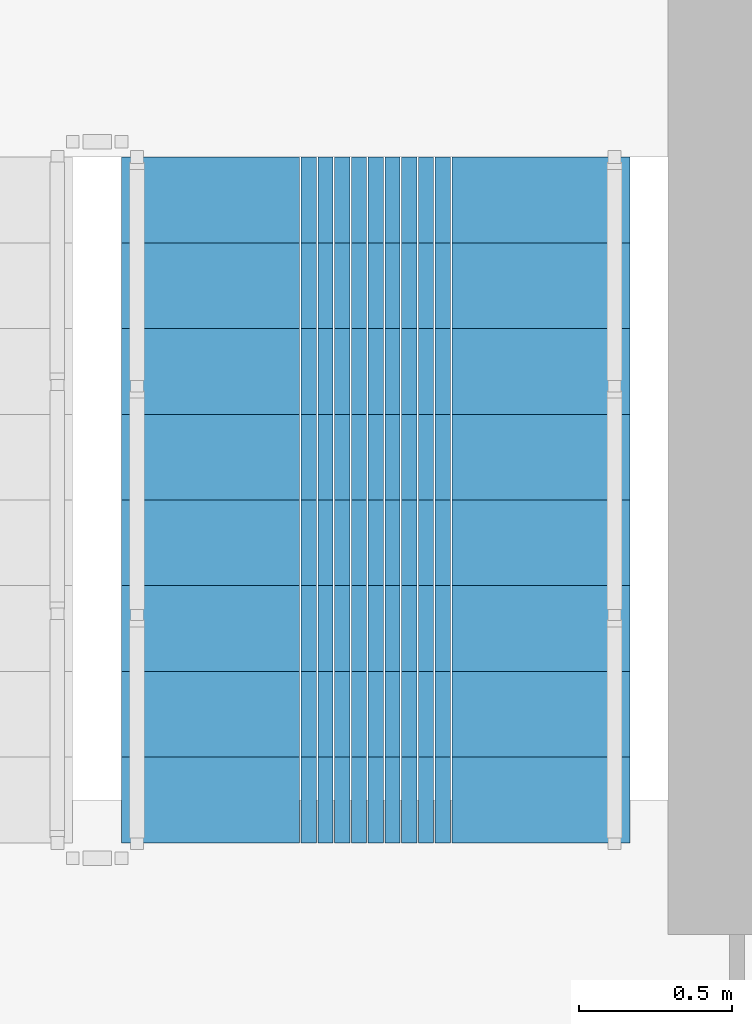
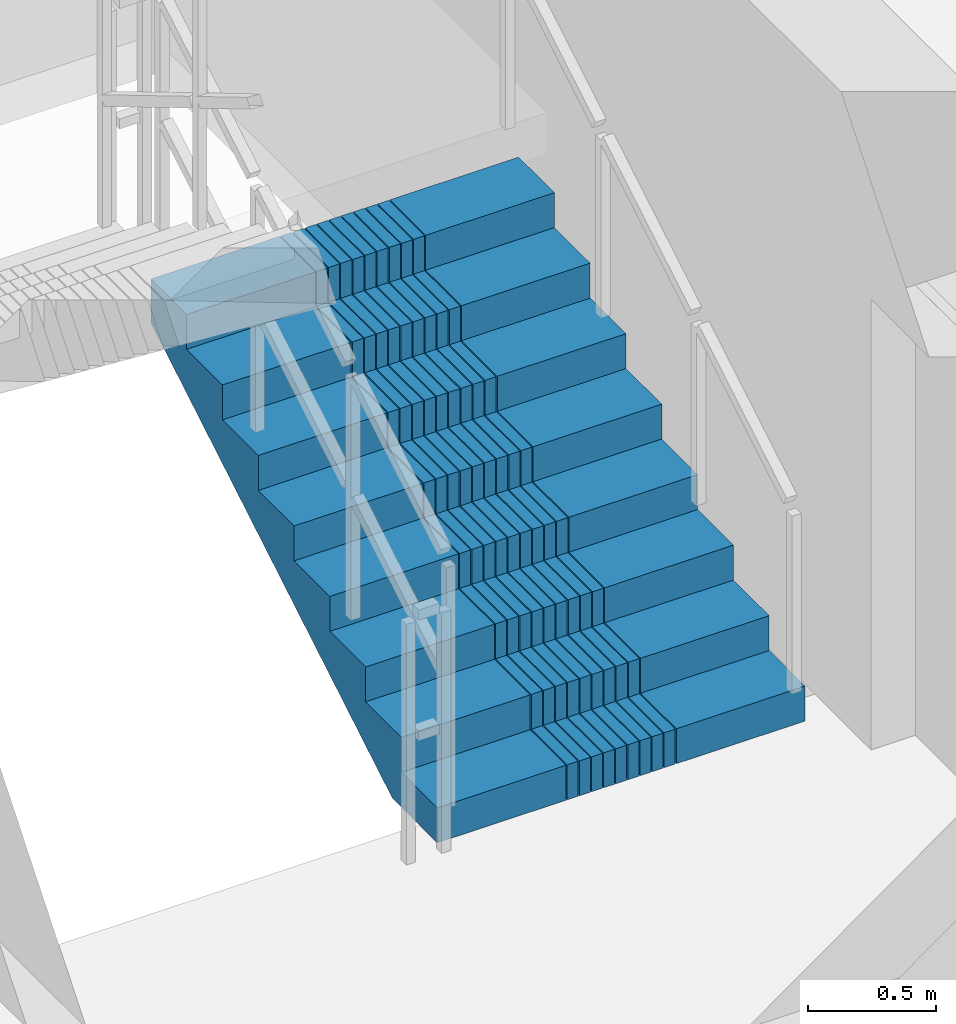
# One storey, part 9 of 14: 1 stair flight, 1 element without a shape of its own.
"""IFC4 building model written with IfcOpenShell, lengths in metres."""

import ifcopenshell
import ifcopenshell.guid

model = None  # the IFC model being written
_history = None  # IfcOwnerHistory: only IFC2X3 demands one
_inside = {}  # id of a spatial element -> (the spatial element, [elements in it])
_under = {}  # id of a project, library or spatial element -> (it, [spatial elements below it])
_declared = {}  # id of a project -> (the project, [libraries it declares])
_typed = {}  # id of a type object -> (the type object, [elements of that type])
_made_of = {}  # id of a material, layer set ... -> (it, [elements and type objects made of it])


def new_model(schema):
    """Start an empty IFC model of exactly this schema.

    Asked for "IFC4X3", IfcOpenShell would pick the latest addendum, in which some entities
    have other attributes; the version numbers below select the first issue.
    IFC2X3 requires an IfcOwnerHistory on every rooted entity: one is made here for all.
    """
    global model, _history
    if schema == "IFC4X3":
        model = ifcopenshell.file(schema_version=(4, 3, 0, 0))
    else:
        model = ifcopenshell.file(schema=schema)
    _inside.clear()
    _under.clear()
    _declared.clear()
    _typed.clear()
    _made_of.clear()
    _history = None
    if model.schema == "IFC2X3":
        org = make("IfcOrganization", Name="unknown")
        user = make(
            "IfcPersonAndOrganization",
            ThePerson=make("IfcPerson", FamilyName="unknown"),
            TheOrganization=org,
        )
        app = make(
            "IfcApplication",
            ApplicationDeveloper=org,
            Version="unknown",
            ApplicationFullName="unknown",
            ApplicationIdentifier="unknown",
        )
        _history = make(
            "IfcOwnerHistory",
            OwningUser=user,
            OwningApplication=app,
            ChangeAction="ADDED",
            CreationDate=0,
        )
    return model


def make(cls, **values):
    """One entity of the class cls with the attributes given. An attribute that is None is left unset."""
    return model.create_entity(
        cls, **{name: value for name, value in values.items() if value is not None}
    )


def rooted(cls, **values):
    """An entity with a GlobalId (a new one), such as an element, a storey or a relation."""
    return make(cls, GlobalId=ifcopenshell.guid.new(), OwnerHistory=_history, **values)


def si_unit(unit_type, name, prefix=None):
    """IfcSIUnit, for example si_unit("LENGTHUNIT", "METRE", prefix="MILLI")."""
    return make("IfcSIUnit", UnitType=unit_type, Prefix=prefix, Name=name)


def assignment(units):
    """IfcUnitAssignment: the units of a project."""
    return None if units is None else make("IfcUnitAssignment", Units=units)


def point(xyz):
    """IfcCartesianPoint."""
    return None if xyz is None else make("IfcCartesianPoint", Coordinates=xyz)


def direction(xyz):
    """IfcDirection."""
    return None if xyz is None else make("IfcDirection", DirectionRatios=xyz)


def frame(location, z_axis=None, x_axis=None):
    """IfcAxis2Placement3D, a coordinate frame: its origin and axes. An axis left out is left unset."""
    return make(
        "IfcAxis2Placement3D",
        Location=point(location),
        Axis=direction(z_axis),
        RefDirection=direction(x_axis),
    )


def origin():
    """The frame at (0, 0, 0) with its axes left unset."""
    return frame((0.0, 0.0, 0.0))


def place(relative_to, where):
    """IfcLocalPlacement: puts the frame where relative to a parent placement (None: the world)."""
    return make(
        "IfcLocalPlacement", PlacementRelTo=relative_to, RelativePlacement=where
    )


def context(
    kind, dimensions, precision=None, world=None, true_north=None, identifier=None
):
    """IfcGeometricRepresentationContext, for example the 3D "Model" context."""
    return make(
        "IfcGeometricRepresentationContext",
        ContextIdentifier=identifier,
        ContextType=kind,
        CoordinateSpaceDimension=dimensions,
        Precision=precision,
        WorldCoordinateSystem=world,
        TrueNorth=true_north,
    )


def subcontext(parent, identifier, kind, view, scale=None):
    """IfcGeometricRepresentationSubContext, for example "Body" below "Model"."""
    return make(
        "IfcGeometricRepresentationSubContext",
        ContextIdentifier=identifier,
        ContextType=kind,
        ParentContext=parent,
        TargetScale=scale,
        TargetView=view,
    )


def project(units=None, contexts=None):
    """IfcProject with its units and contexts."""
    return rooted(
        "IfcProject",
        Name="project",
        RepresentationContexts=contexts,
        UnitsInContext=assignment(units),
    )


def spatial(cls, under=None, at=None, **own):
    """A site, building, storey or space (cls), placed at a placement, below another one or the project."""
    s = rooted(cls, ObjectPlacement=at, **own)
    if under is not None:
        _under.setdefault(under.id(), (under, []))[1].append(s)
    return s


def polyline(points):
    """IfcPolyline through the points."""
    return make("IfcPolyline", Points=[point(p) for p in points])


def outline(outer, holes=None, kind="AREA"):
    """IfcArbitraryClosedProfileDef: a profile drawn as a closed curve; with holes, ...WithVoids."""
    if holes is None:
        return make("IfcArbitraryClosedProfileDef", ProfileType=kind, OuterCurve=outer)
    return make(
        "IfcArbitraryProfileDefWithVoids",
        ProfileType=kind,
        OuterCurve=outer,
        InnerCurves=holes,
    )


def extrude(swept, where, along, depth):
    """IfcExtrudedAreaSolid: the profile swept, set in the frame where, extruded along a direction by depth."""
    return make(
        "IfcExtrudedAreaSolid",
        SweptArea=swept,
        Position=where,
        ExtrudedDirection=direction(along),
        Depth=depth,
    )


def shape(context_of_items, identifier, shape_type, items):
    """IfcShapeRepresentation: the items that make up one representation, for example the "Body"."""
    return make(
        "IfcShapeRepresentation",
        ContextOfItems=context_of_items,
        RepresentationIdentifier=identifier,
        RepresentationType=shape_type,
        Items=items,
    )


def material(Name=None, Category=None):
    """IfcMaterial."""
    return make("IfcMaterial", Name=Name, Category=Category)


def made_of(thing, what):
    """Note that an element or type object is made of a material, layer set ...; save() writes the relation."""
    if what is not None:
        _made_of.setdefault(what.id(), (what, []))[1].append(thing)
    return thing


def type_object(cls, material=None, **own):
    """A type object (cls), such as IfcWallType, which elements share."""
    return made_of(rooted(cls, **own), material)


def element(
    cls,
    number,
    at=None,
    inside=None,
    cuts=None,
    type_object=None,
    material=None,
    context=None,
    identifier="Body",
    shape_type=None,
    held_by="IfcProductDefinitionShape",
    body=None,
    shapes=None,
    **own,
):
    """One element of the class cls, such as IfcWall. Its Tag is "e" and its number.

    at: its placement. inside: the storey or other place that contains it. cuts: it is an
    opening in that element (IfcRelVoidsElement). A single representation is given by context,
    identifier, shape_type and body (its items); several are given by shapes. held_by: the class
    of the entity that holds the representations. save() writes the other relations.
    """
    e = rooted(cls, Tag="e%d" % number, ObjectPlacement=at, **own)
    if body is not None:
        shapes = [shape(context, identifier, shape_type, body)]
    if shapes is not None:
        e.Representation = make(held_by, Representations=shapes)
    if inside is not None:
        _inside.setdefault(inside.id(), (inside, []))[1].append(e)
    if cuts is not None:
        rooted(
            "IfcRelVoidsElement", RelatingBuildingElement=cuts, RelatedOpeningElement=e
        )
    if type_object is not None:
        _typed.setdefault(type_object.id(), (type_object, []))[1].append(e)
    return made_of(e, material)


def aggregate(whole, parts):
    """IfcRelAggregates: a whole, such as a stair, and the parts it consists of."""
    return rooted("IfcRelAggregates", RelatingObject=whole, RelatedObjects=parts)


def save(model, path):
    """Write the relations noted so far, then the file.

    IfcRelAggregates (storeys below a building ...), IfcRelContainedInSpatialStructure (elements
    in a storey), IfcRelDefinesByType, IfcRelAssociatesMaterial and IfcRelDeclares: one each for
    every whole, place, type object, material and project.
    """
    for whole, parts in _under.values():
        aggregate(whole, parts)
    for where, things in _inside.values():
        rooted(
            "IfcRelContainedInSpatialStructure",
            RelatedElements=things,
            RelatingStructure=where,
        )
    for kind, things in _typed.values():
        rooted("IfcRelDefinesByType", RelatedObjects=things, RelatingType=kind)
    for what, things in _made_of.values():
        rooted("IfcRelAssociatesMaterial", RelatedObjects=things, RelatingMaterial=what)
    for by, libraries in _declared.values():
        rooted("IfcRelDeclares", RelatingContext=by, RelatedDefinitions=libraries)
    model.write(path)


model = new_model("IFC4")

# Units and contexts
model_context = context("Model", 3, precision=1e-05, world=origin(), true_north=direction((0.0, 1.0)))
body_context = subcontext(model_context, "Body", "Model", "MODEL_VIEW")
ifc_project = project(units=[si_unit("LENGTHUNIT", "METRE"), si_unit("AREAUNIT", "SQUARE_METRE"), si_unit("VOLUMEUNIT", "CUBIC_METRE"), si_unit("PLANEANGLEUNIT", "RADIAN"), si_unit("MASSUNIT", "GRAM", prefix="KILO")], contexts=[model_context])

# Site, building, storey
site_placement = place(None, origin())
site = spatial("IfcSite", under=ifc_project, at=site_placement, CompositionType="ELEMENT")
building_placement = place(site_placement, origin())
building = spatial("IfcBuilding", under=site, at=building_placement, Name="Saelheon Loggia Tower", CompositionType="ELEMENT")
storey_placement = place(building_placement, frame((0.0, 0.0, 213.300048828125)))
storey = spatial("IfcBuildingStorey", under=building, at=storey_placement, Name="L66", CompositionType="ELEMENT", Elevation=213.300048828125)

# Stair, stair flight
ifc_material = material(Name="Concrete C40/50", Category="concrete")
stair_type = type_object("IfcStairType", Name="Stair_Escape_Core", PredefinedType="HALF_TURN_STAIR", material=ifc_material)
stair_placement = place(storey_placement, origin())
stair = element("IfcStair", 1, at=stair_placement, inside=storey, type_object=stair_type, Name="L66 Special Escape Stair ST2", PredefinedType="HALF_TURN_STAIR")
stair_flight_type = type_object("IfcStairFlightType", Name="StairFlight_Tower_1660", PredefinedType="STRAIGHT", material=ifc_material)
stair_flight_placement = place(storey_placement, frame((43.320068359375, 30.449951171875, 0.0), z_axis=(0.0, 0.0, 1.0), x_axis=(0.0, 1.0, 0.0)))
stair_flight = element("IfcStairFlight", 2, at=stair_flight_placement, type_object=stair_flight_type, Name="ST2 flight 1", NumberOfRisers=9, NumberOfTreads=8, PredefinedType="STRAIGHT", RiserHeight=0.166666667, TreadLength=0.28, context=body_context, shape_type="SweptSolid", body=[
    extrude(outline(polyline([(0.0, 0.0), (0.0, 0.166748046875), (0.280029296875, 0.166748046875), (0.280029296875, 0.333251953125), (0.56005859375, 0.333251953125), (0.56005859375, 0.5), (0.840087890625, 0.5), (0.840087890625, 0.666748046875), (1.1201171875, 0.666748046875), (1.1201171875, 0.833251953125), (1.39990234375, 0.833251953125), (1.39990234375, 1.0), (1.679931640625, 1.0), (1.679931640625, 1.166748046875), (1.9599609375, 1.166748046875), (1.9599609375, 1.333251953125), (2.239990234375, 1.333251953125), (2.239990234375, 1.5), (2.239990234375, 1.1240234375), (0.351806640625, 0.0), (0.0, 0.0)])), frame((0.0, -0.2490234375, 0.0), z_axis=(0.0, -1.0, 0.0), x_axis=(1.0, 0.0, 0.0)), (0.0, 0.0, 1.0), 0.5810546875),
    extrude(outline(polyline([(0.0, 0.0), (0.0, 0.166748046875), (0.280029296875, 0.166748046875), (0.280029296875, 0.333251953125), (0.56005859375, 0.333251953125), (0.56005859375, 0.5), (0.840087890625, 0.5), (0.840087890625, 0.666748046875), (1.1201171875, 0.666748046875), (1.1201171875, 0.833251953125), (1.39990234375, 0.833251953125), (1.39990234375, 1.0), (1.679931640625, 1.0), (1.679931640625, 1.166748046875), (1.9599609375, 1.166748046875), (1.9599609375, 1.333251953125), (2.239990234375, 1.333251953125), (2.239990234375, 1.5), (2.239990234375, 1.1240234375), (0.351806640625, 0.0), (0.0, 0.0)])), frame((0.0, -0.194091796875, 0.0), z_axis=(0.0, -1.0, 0.0), x_axis=(1.0, 0.0, 0.0)), (0.0, 0.0, 1.0), 0.0498046875),
    extrude(outline(polyline([(0.0, 0.0), (0.0, 0.166748046875), (0.280029296875, 0.166748046875), (0.280029296875, 0.333251953125), (0.56005859375, 0.333251953125), (0.56005859375, 0.5), (0.840087890625, 0.5), (0.840087890625, 0.666748046875), (1.1201171875, 0.666748046875), (1.1201171875, 0.833251953125), (1.39990234375, 0.833251953125), (1.39990234375, 1.0), (1.679931640625, 1.0), (1.679931640625, 1.166748046875), (1.9599609375, 1.166748046875), (1.9599609375, 1.333251953125), (2.239990234375, 1.333251953125), (2.239990234375, 1.5), (2.239990234375, 1.1240234375), (0.351806640625, 0.0), (0.0, 0.0)])), frame((0.0, -0.139404296875, 0.0), z_axis=(0.0, -1.0, 0.0), x_axis=(1.0, 0.0, 0.0)), (0.0, 0.0, 1.0), 0.0498046875),
    extrude(outline(polyline([(0.0, 0.0), (0.0, 0.166748046875), (0.280029296875, 0.166748046875), (0.280029296875, 0.333251953125), (0.56005859375, 0.333251953125), (0.56005859375, 0.5), (0.840087890625, 0.5), (0.840087890625, 0.666748046875), (1.1201171875, 0.666748046875), (1.1201171875, 0.833251953125), (1.39990234375, 0.833251953125), (1.39990234375, 1.0), (1.679931640625, 1.0), (1.679931640625, 1.166748046875), (1.9599609375, 1.166748046875), (1.9599609375, 1.333251953125), (2.239990234375, 1.333251953125), (2.239990234375, 1.5), (2.239990234375, 1.1240234375), (0.351806640625, 0.0), (0.0, 0.0)])), frame((0.0, -0.084716796875, 0.0), z_axis=(0.0, -1.0, 0.0), x_axis=(1.0, 0.0, 0.0)), (0.0, 0.0, 1.0), 0.0498046875),
    extrude(outline(polyline([(0.0, 0.0), (0.0, 0.166748046875), (0.280029296875, 0.166748046875), (0.280029296875, 0.333251953125), (0.56005859375, 0.333251953125), (0.56005859375, 0.5), (0.840087890625, 0.5), (0.840087890625, 0.666748046875), (1.1201171875, 0.666748046875), (1.1201171875, 0.833251953125), (1.39990234375, 0.833251953125), (1.39990234375, 1.0), (1.679931640625, 1.0), (1.679931640625, 1.166748046875), (1.9599609375, 1.166748046875), (1.9599609375, 1.333251953125), (2.239990234375, 1.333251953125), (2.239990234375, 1.5), (2.239990234375, 1.1240234375), (0.351806640625, 0.0), (0.0, 0.0)])), frame((0.0, -0.02978515625, 0.0), z_axis=(0.0, -1.0, 0.0), x_axis=(1.0, 0.0, 0.0)), (0.0, 0.0, 1.0), 0.0498046875),
    extrude(outline(polyline([(0.0, 0.0), (0.0, 0.166748046875), (0.280029296875, 0.166748046875), (0.280029296875, 0.333251953125), (0.56005859375, 0.333251953125), (0.56005859375, 0.5), (0.840087890625, 0.5), (0.840087890625, 0.666748046875), (1.1201171875, 0.666748046875), (1.1201171875, 0.833251953125), (1.39990234375, 0.833251953125), (1.39990234375, 1.0), (1.679931640625, 1.0), (1.679931640625, 1.166748046875), (1.9599609375, 1.166748046875), (1.9599609375, 1.333251953125), (2.239990234375, 1.333251953125), (2.239990234375, 1.5), (2.239990234375, 1.1240234375), (0.351806640625, 0.0), (0.0, 0.0)])), frame((0.0, 0.02490234375, 0.0), z_axis=(0.0, -1.0, 0.0), x_axis=(1.0, 0.0, 0.0)), (0.0, 0.0, 1.0), 0.0498046875),
    extrude(outline(polyline([(0.0, 0.0), (0.0, 0.166748046875), (0.280029296875, 0.166748046875), (0.280029296875, 0.333251953125), (0.56005859375, 0.333251953125), (0.56005859375, 0.5), (0.840087890625, 0.5), (0.840087890625, 0.666748046875), (1.1201171875, 0.666748046875), (1.1201171875, 0.833251953125), (1.39990234375, 0.833251953125), (1.39990234375, 1.0), (1.679931640625, 1.0), (1.679931640625, 1.166748046875), (1.9599609375, 1.166748046875), (1.9599609375, 1.333251953125), (2.239990234375, 1.333251953125), (2.239990234375, 1.5), (2.239990234375, 1.1240234375), (0.351806640625, 0.0), (0.0, 0.0)])), frame((0.0, 0.07958984375, 0.0), z_axis=(0.0, -1.0, 0.0), x_axis=(1.0, 0.0, 0.0)), (0.0, 0.0, 1.0), 0.0498046875),
    extrude(outline(polyline([(0.0, 0.0), (0.0, 0.166748046875), (0.280029296875, 0.166748046875), (0.280029296875, 0.333251953125), (0.56005859375, 0.333251953125), (0.56005859375, 0.5), (0.840087890625, 0.5), (0.840087890625, 0.666748046875), (1.1201171875, 0.666748046875), (1.1201171875, 0.833251953125), (1.39990234375, 0.833251953125), (1.39990234375, 1.0), (1.679931640625, 1.0), (1.679931640625, 1.166748046875), (1.9599609375, 1.166748046875), (1.9599609375, 1.333251953125), (2.239990234375, 1.333251953125), (2.239990234375, 1.5), (2.239990234375, 1.1240234375), (0.351806640625, 0.0), (0.0, 0.0)])), frame((0.0, 0.134521484375, 0.0), z_axis=(0.0, -1.0, 0.0), x_axis=(1.0, 0.0, 0.0)), (0.0, 0.0, 1.0), 0.0498046875),
    extrude(outline(polyline([(0.0, 0.0), (0.0, 0.166748046875), (0.280029296875, 0.166748046875), (0.280029296875, 0.333251953125), (0.56005859375, 0.333251953125), (0.56005859375, 0.5), (0.840087890625, 0.5), (0.840087890625, 0.666748046875), (1.1201171875, 0.666748046875), (1.1201171875, 0.833251953125), (1.39990234375, 0.833251953125), (1.39990234375, 1.0), (1.679931640625, 1.0), (1.679931640625, 1.166748046875), (1.9599609375, 1.166748046875), (1.9599609375, 1.333251953125), (2.239990234375, 1.333251953125), (2.239990234375, 1.5), (2.239990234375, 1.1240234375), (0.351806640625, 0.0), (0.0, 0.0)])), frame((0.0, 0.189208984375, 0.0), z_axis=(0.0, -1.0, 0.0), x_axis=(1.0, 0.0, 0.0)), (0.0, 0.0, 1.0), 0.0498046875),
    extrude(outline(polyline([(0.0, 0.0), (0.0, 0.166748046875), (0.280029296875, 0.166748046875), (0.280029296875, 0.333251953125), (0.56005859375, 0.333251953125), (0.56005859375, 0.5), (0.840087890625, 0.5), (0.840087890625, 0.666748046875), (1.1201171875, 0.666748046875), (1.1201171875, 0.833251953125), (1.39990234375, 0.833251953125), (1.39990234375, 1.0), (1.679931640625, 1.0), (1.679931640625, 1.166748046875), (1.9599609375, 1.166748046875), (1.9599609375, 1.333251953125), (2.239990234375, 1.333251953125), (2.239990234375, 1.5), (2.239990234375, 1.1240234375), (0.351806640625, 0.0), (0.0, 0.0)])), frame((0.0, 0.243896484375, 0.0), z_axis=(0.0, -1.0, 0.0), x_axis=(1.0, 0.0, 0.0)), (0.0, 0.0, 1.0), 0.0498046875),
    extrude(outline(polyline([(0.0, 0.0), (0.0, 0.166748046875), (0.280029296875, 0.166748046875), (0.280029296875, 0.333251953125), (0.56005859375, 0.333251953125), (0.56005859375, 0.5), (0.840087890625, 0.5), (0.840087890625, 0.666748046875), (1.1201171875, 0.666748046875), (1.1201171875, 0.833251953125), (1.39990234375, 0.833251953125), (1.39990234375, 1.0), (1.679931640625, 1.0), (1.679931640625, 1.166748046875), (1.9599609375, 1.166748046875), (1.9599609375, 1.333251953125), (2.239990234375, 1.333251953125), (2.239990234375, 1.5), (2.239990234375, 1.1240234375), (0.351806640625, 0.0), (0.0, 0.0)])), frame((0.0, 0.830078125, 0.0), z_axis=(0.0, -1.0, 0.0), x_axis=(1.0, 0.0, 0.0)), (0.0, 0.0, 1.0), 0.5810546875),
])
aggregate(stair, [stair_flight])

save(model, "model.ifc")
